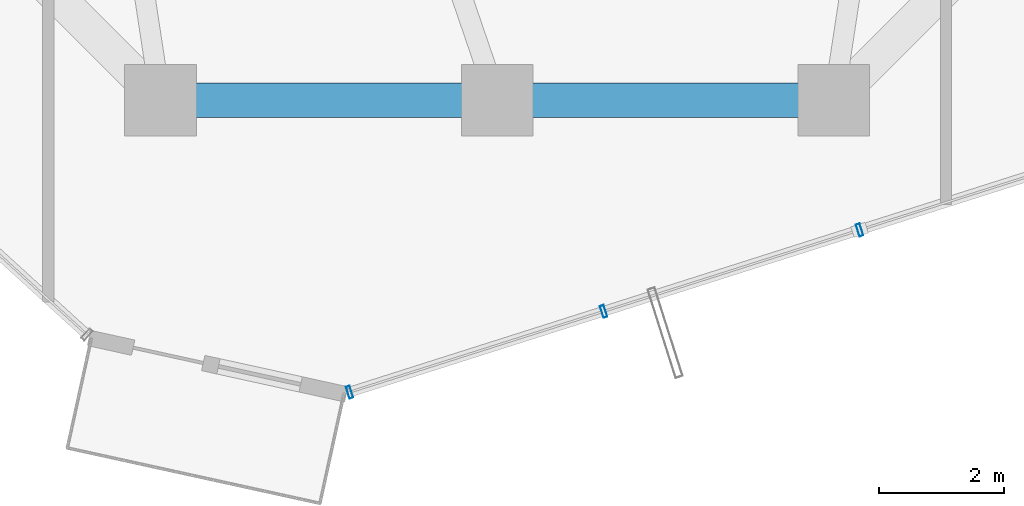
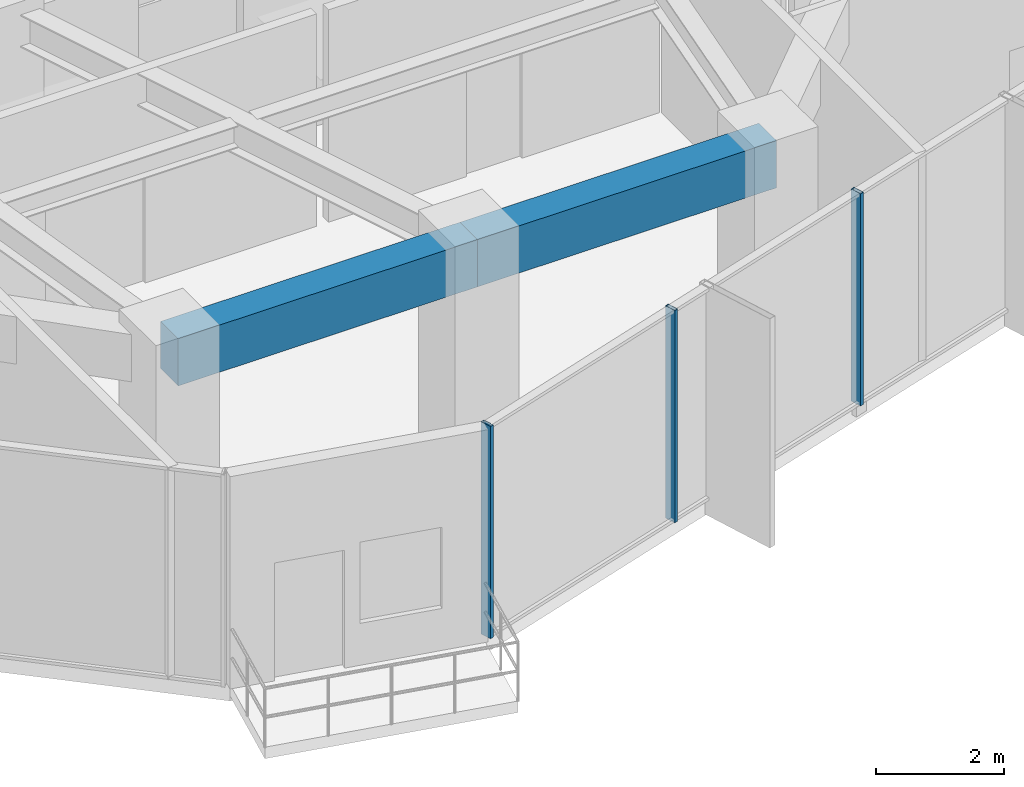
# One storey, part 7 of 28: 3 members, 2 beams, 1 element without a shape of its own.
"""IFC4 building model written with IfcOpenShell, lengths in metres."""

from ifc_helpers import new_model, si_unit, direction, frame, origin, origin_2d, place, context, subcontext, project, spatial, rectangle, hollow_rectangle, extrude, source, transform, mapped, material, layer, layer_set, material_profile, profile_set, type_object, element, aggregate, save


model = new_model("IFC4")

# Units and contexts
model_context = context("Model", 3, precision=1e-05, world=origin(), true_north=direction((0.0, 1.0)))
body_context = subcontext(model_context, "Body", "Model", "MODEL_VIEW")
ifc_project = project(units=[si_unit("LENGTHUNIT", "METRE"), si_unit("AREAUNIT", "SQUARE_METRE"), si_unit("VOLUMEUNIT", "CUBIC_METRE"), si_unit("PLANEANGLEUNIT", "RADIAN"), si_unit("MASSUNIT", "GRAM", prefix="KILO")], contexts=[model_context])

# Site, building, storey
site_placement = place(None, origin())
site = spatial("IfcSite", under=ifc_project, at=site_placement, CompositionType="ELEMENT")
building_placement = place(site_placement, origin())
building = spatial("IfcBuilding", under=site, at=building_placement, Name="Veraguas Prism Commons", CompositionType="ELEMENT")
storey_placement = place(building_placement, frame((0.0, 0.0, 85.14990234375)))
storey = spatial("IfcBuildingStorey", under=building, at=storey_placement, Name="L23", CompositionType="ELEMENT", Elevation=85.14990234375)

# Beams
ifc_material_1 = material(Name="Concrete C50/60", Category="concrete")
ifc_material_profile_1 = material_profile(ifc_material_1, rectangle(XDim=0.550048828125, YDim=0.89990234375, at=origin_2d()), Name="RC550X900")
ifc_profile_set_1 = profile_set([ifc_material_profile_1], Name="Concrete C50/60")
beam_type = type_object("IfcBeamType", Name="Perimeter Spandrel Lower RC 550x900", PredefinedType="SPANDREL", material=ifc_profile_set_1)
for number, where, z_axis, x_axis, name in (
    (1, (18.60009765625, 7.800048828125, 3.60009765625), (1.0, 0.0, 0.0), (0.0, 1.0, 0.0), "Perimeter Spandrel Beam L23-SP10"),
    (2, (24.0, 7.800048828125, 3.60009765625), (1.0, 0.0, 0.0), (0.0, 1.0, 0.0), "Perimeter Spandrel Beam L23-SP11"),
):
    element("IfcBeam", number, at=place(storey_placement, frame(where, z_axis=z_axis, x_axis=x_axis)), inside=storey, type_object=beam_type, Name=name, PredefinedType="SPANDREL", context=body_context, shape_type="SweptSolid", body=[
        extrude(rectangle(XDim=0.550048828125, YDim=0.89990234375, at=origin_2d()), origin(), (0.0, 0.0, 1.0), 5.39990234375),
    ])

# Curtain wall, members
ifc_material_2 = material(Name="Anodised aluminium EN AW-6063 T6", Category="aluminium")
ifc_layer = layer(ifc_material_2, 0.199951171875, Name="Sky Lobby and Pool Acoustic Curtain Wall", Category="aluminium")
ifc_layer_set = layer_set([ifc_layer], Name="Anodised aluminium EN AW-6063 T6")
curtain_wall_type = type_object("IfcCurtainWallType", Name="Sky Lobby and Pool Acoustic Curtain Wall", PredefinedType="NOTDEFINED", material=ifc_layer_set)
curtain_wall_placement = place(storey_placement, origin())
curtain_wall = element("IfcCurtainWall", 3, at=curtain_wall_placement, inside=storey, type_object=curtain_wall_type, Name="Tower Facade Curtain Wall L23-F5", PredefinedType="NOTDEFINED")
ifc_material_profile_2 = material_profile(ifc_material_2, hollow_rectangle(XDim=0.06494140625, YDim=0.199951171875, WallThickness=0.00390625, at=origin_2d()), Name="AL65X200X4")
ifc_profile_set_2 = profile_set([ifc_material_profile_2], Name="Anodised aluminium EN AW-6063 T6")
member_type = type_object("IfcMemberType", Name="Curtain Wall Mullion Heavy AL 65x200x4", PredefinedType="MULLION", material=ifc_profile_set_2)
shared_shape = source(origin(), body_context, "Body", "SweptSolid", [
    extrude(hollow_rectangle(XDim=0.06494140625, YDim=0.199951171875, WallThickness=0.00390625, at=origin_2d()), origin(), (0.0, 0.0, 1.0), 4.050048828125),
])
member_1_placement = place(storey_placement, frame((21.632080078125, 3.1181640625, 0.0), z_axis=(0.0, 0.0, 1.0), x_axis=(0.952979341517, 0.303035269633, 0.0)))
member_1 = element("IfcMember", 4, at=member_1_placement, type_object=member_type, Name="CW-SKY Mullion 1", PredefinedType="MULLION", context=body_context, shape_type="MappedRepresentation", body=[
    mapped(shared_shape, transform((0.0, 0.0, 0.0), scale=1.0)),
])
member_2_placement = place(storey_placement, frame((25.70703125, 4.413818359375, 0.0), z_axis=(0.0, 0.0, 1.0), x_axis=(0.952979341517, 0.303035269633, 0.0)))
member_2 = element("IfcMember", 5, at=member_2_placement, type_object=member_type, Name="CW-SKY Mullion 2", PredefinedType="MULLION", context=body_context, shape_type="MappedRepresentation", body=[
    mapped(shared_shape, transform((0.0, 0.0, 0.0), scale=1.0)),
])
member_3_placement = place(storey_placement, frame((29.81298828125, 5.719482421875, 0.0), z_axis=(0.0, 0.0, 1.0), x_axis=(0.952979341517, 0.303035269633, 0.0)))
member_3 = element("IfcMember", 6, at=member_3_placement, type_object=member_type, Name="CW-SKY Mullion 3", PredefinedType="MULLION", context=body_context, shape_type="MappedRepresentation", body=[
    mapped(shared_shape, transform((0.0, 0.0, 0.0), scale=1.0)),
])
aggregate(curtain_wall, [member_1, member_2, member_3])

save(model, "model.ifc")
